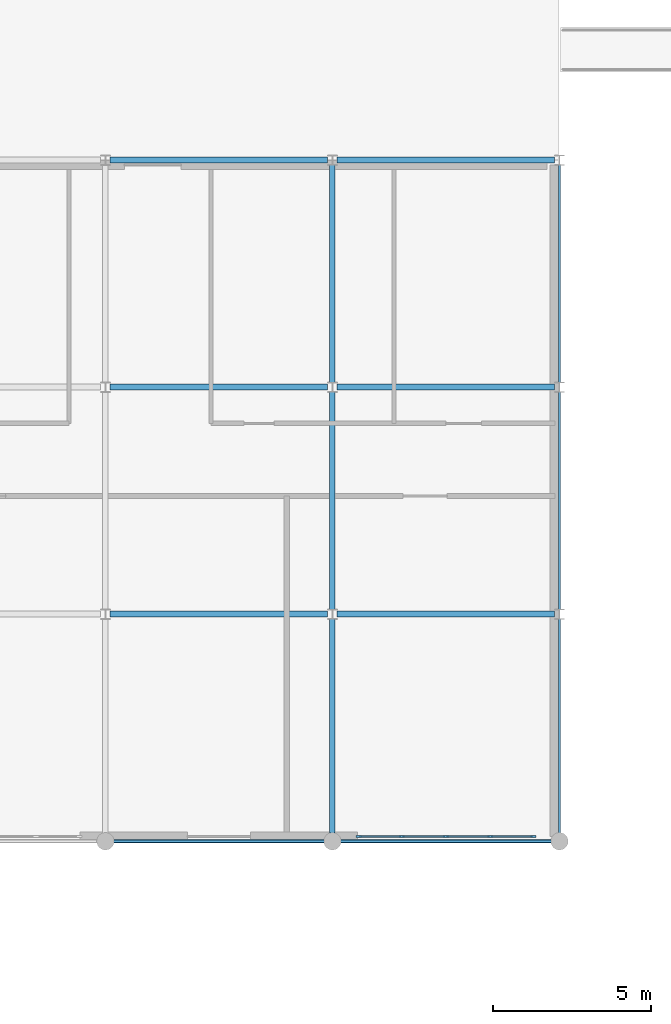
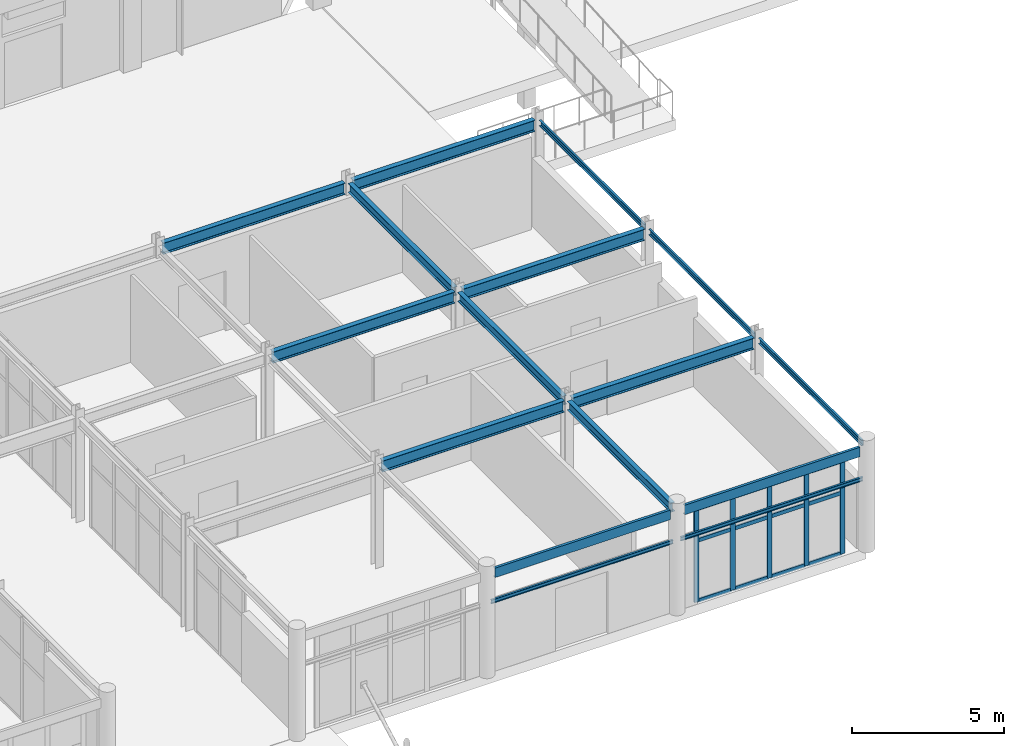
# One storey, part 30 of 85: 17 members, 16 beams, 1 element without a shape of its own.
"""IFC4 building model written with IfcOpenShell, lengths in metres."""

from ifc_helpers import new_model, si_unit, direction, frame, origin, origin_2d, place, context, subcontext, project, spatial, rectangle, i_section, u_section, extrude, material, layer, layer_set, material_profile, profile_set, type_object, element, aggregate, save


model = new_model("IFC4")

# Units and contexts
model_context = context("Model", 3, precision=1e-05, world=origin(), true_north=direction((0.0, 1.0)))
body_context = subcontext(model_context, "Body", "Model", "MODEL_VIEW")
ifc_project = project(units=[si_unit("LENGTHUNIT", "METRE"), si_unit("AREAUNIT", "SQUARE_METRE"), si_unit("VOLUMEUNIT", "CUBIC_METRE"), si_unit("PLANEANGLEUNIT", "RADIAN"), si_unit("MASSUNIT", "GRAM", prefix="KILO")], contexts=[model_context])

# Site, building, storey
site_placement = place(None, origin())
site = spatial("IfcSite", under=ifc_project, at=site_placement, CompositionType="ELEMENT")
building_placement = place(site_placement, origin())
building = spatial("IfcBuilding", under=site, at=building_placement, Name="Ochrevale Crest", CompositionType="ELEMENT")
storey_placement = place(building_placement, origin())
storey = spatial("IfcBuildingStorey", under=building, at=storey_placement, Name="L00", CompositionType="ELEMENT", Elevation=0.0)

# Beams
ifc_material_1 = material(Name="Steel S355", Category="steel")
ifc_material_profile_1 = material_profile(ifc_material_1, u_section(Depth=0.22998046875, FlangeWidth=0.074951171875, WebThickness=0.006591796875, FlangeThickness=0.011962890625, FilletRadius=0.011962890625, at=origin_2d()), Name="230PFC")
ifc_profile_set_1 = profile_set([ifc_material_profile_1], Name="Steel S355")
beam_type_1 = type_object("IfcBeamType", Name="BM-PFC230", PredefinedType="SPANDREL", material=ifc_profile_set_1)
beam_1_placement = place(storey_placement, frame((108.0, 7.469970703125, 4.06005859375), z_axis=(0.0, 1.0, 0.0), x_axis=(-1.0, 0.0, 0.0)))
element("IfcBeam", 1, at=beam_1_placement, inside=storey, type_object=beam_type_1, Name="Retail arcade L00 N-S beam X=108.0", PredefinedType="SPANDREL", context=body_context, shape_type="SweptSolid", body=[
    extrude(u_section(Depth=0.22998046875, FlangeWidth=0.074951171875, WebThickness=0.006591796875, FlangeThickness=0.011962890625, FilletRadius=0.011962890625, at=origin_2d()), origin(), (0.0, 0.0, 1.0), 6.780029296875),
])
for number, where, z_axis, x_axis, name in (
    (2, (108.0, 14.550048828125, 4.06005859375), (0.0, 1.0, 0.0), (-1.0, 0.0, 0.0), "Retail arcade L00 N-S beam X=108.0"),
    (3, (108.0, 21.75, 4.06005859375), (0.0, 1.0, 0.0), (-1.0, 0.0, 0.0), "Retail arcade L00 N-S beam X=108.0"),
):
    element("IfcBeam", number, at=place(storey_placement, frame(where, z_axis=z_axis, x_axis=x_axis)), inside=storey, type_object=beam_type_1, Name=name, PredefinedType="SPANDREL", context=body_context, shape_type="SweptSolid", body=[
        extrude(u_section(Depth=0.22998046875, FlangeWidth=0.074951171875, WebThickness=0.006591796875, FlangeThickness=0.011962890625, FilletRadius=0.011962890625, at=origin_2d()), origin(), (0.0, 0.0, 1.0), 6.89990234375),
    ])
ifc_material_profile_2 = material_profile(ifc_material_1, u_section(Depth=0.3798828125, FlangeWidth=0.10009765625, WebThickness=0.010009765625, FlangeThickness=0.017578125, FilletRadius=0.013916015625, at=origin_2d()), Name="380PFC")
ifc_profile_set_2 = profile_set([ifc_material_profile_2], Name="Steel S355")
beam_type_2 = type_object("IfcBeamType", Name="BM-PFC380", PredefinedType="SPANDREL", material=ifc_profile_set_2)
for number, where, z_axis, x_axis, name in (
    (4, (93.8701171875, 7.199951171875, 3.985107421875), (1.0, 0.0, 0.0), (0.0, 1.0, 0.0), "Retail arcade L00 E-W beam Y=7.2"),
    (5, (101.070068359375, 7.199951171875, 3.985107421875), (1.0, 0.0, 0.0), (0.0, 1.0, 0.0), "Retail arcade L00 E-W beam Y=7.2"),
):
    element("IfcBeam", number, at=place(storey_placement, frame(where, z_axis=z_axis, x_axis=x_axis)), inside=storey, type_object=beam_type_2, Name=name, PredefinedType="SPANDREL", context=body_context, shape_type="SweptSolid", body=[
        extrude(u_section(Depth=0.3798828125, FlangeWidth=0.10009765625, WebThickness=0.010009765625, FlangeThickness=0.017578125, FilletRadius=0.013916015625, at=origin_2d()), origin(), (0.0, 0.0, 1.0), 6.659912109375),
    ])
ifc_material_profile_3 = material_profile(ifc_material_1, i_section(OverallWidth=0.074951171875, OverallDepth=0.155029296875, WebThickness=0.006103515625, FlangeThickness=0.009521484375, FilletRadius=0.008056640625, at=origin_2d()), Name="150UB18.0")
ifc_profile_set_3 = profile_set([ifc_material_profile_3], Name="Steel S355")
beam_type_3 = type_object("IfcBeamType", Name="BM-UB150", PredefinedType="LINTEL", material=ifc_profile_set_3)
beam_2_placement = place(storey_placement, frame((93.75, 7.199951171875, 2.85009765625), z_axis=(1.0, 0.0, 0.0), x_axis=(0.0, 1.0, 0.0)))
element("IfcBeam", 6, at=beam_2_placement, inside=storey, type_object=beam_type_3, Name="Retail shopfront steel lintel L00-4", PredefinedType="LINTEL", context=body_context, shape_type="SweptSolid", body=[
    extrude(i_section(OverallWidth=0.074951171875, OverallDepth=0.155029296875, WebThickness=0.006103515625, FlangeThickness=0.009521484375, FilletRadius=0.008056640625, at=origin_2d()), origin(), (0.0, 0.0, 1.0), 6.89990234375),
])
beam_3_placement = place(storey_placement, frame((100.949951171875, 7.199951171875, 2.85009765625), z_axis=(1.0, 0.0, 0.0), x_axis=(0.0, 1.0, 0.0)))
element("IfcBeam", 7, at=beam_3_placement, inside=storey, type_object=beam_type_3, Name="Retail shopfront steel lintel L00-5", PredefinedType="LINTEL", context=body_context, shape_type="SweptSolid", body=[
    extrude(i_section(OverallWidth=0.074951171875, OverallDepth=0.155029296875, WebThickness=0.006103515625, FlangeThickness=0.009521484375, FilletRadius=0.008056640625, at=origin_2d()), origin(), (0.0, 0.0, 1.0), 6.900146484375),
])
ifc_material_profile_4 = material_profile(ifc_material_1, i_section(OverallWidth=0.172119140625, OverallDepth=0.358642578125, WebThickness=0.008056640625, FlangeThickness=0.012939453125, FilletRadius=0.011474609375, at=origin_2d()), Name="360UB56.7")
ifc_profile_set_4 = profile_set([ifc_material_profile_4], Name="Steel S355")
beam_type_4 = type_object("IfcBeamType", Name="BM-UB360B", PredefinedType="BEAM", material=ifc_profile_set_4)
beam_4_placement = place(storey_placement, frame((100.800048828125, 7.469970703125, 3.99560546875), z_axis=(0.0, 1.0, 0.0), x_axis=(-1.0, 0.0, 0.0)))
element("IfcBeam", 8, at=beam_4_placement, inside=storey, type_object=beam_type_4, Name="Retail arcade L00 N-S beam X=100.8", PredefinedType="BEAM", context=body_context, shape_type="SweptSolid", body=[
    extrude(i_section(OverallWidth=0.172119140625, OverallDepth=0.358642578125, WebThickness=0.008056640625, FlangeThickness=0.012939453125, FilletRadius=0.011474609375, at=origin_2d()), origin(), (0.0, 0.0, 1.0), 6.780029296875),
])
for number, where, z_axis, x_axis, name in (
    (9, (100.800048828125, 14.550048828125, 3.99560546875), (0.0, 1.0, 0.0), (-1.0, 0.0, 0.0), "Retail arcade L00 N-S beam X=100.8"),
    (10, (100.800048828125, 21.75, 3.99560546875), (0.0, 1.0, 0.0), (-1.0, 0.0, 0.0), "Retail arcade L00 N-S beam X=100.8"),
):
    element("IfcBeam", number, at=place(storey_placement, frame(where, z_axis=z_axis, x_axis=x_axis)), inside=storey, type_object=beam_type_4, Name=name, PredefinedType="BEAM", context=body_context, shape_type="SweptSolid", body=[
        extrude(i_section(OverallWidth=0.172119140625, OverallDepth=0.358642578125, WebThickness=0.008056640625, FlangeThickness=0.012939453125, FilletRadius=0.011474609375, at=origin_2d()), origin(), (0.0, 0.0, 1.0), 6.89990234375),
    ])
ifc_material_profile_5 = material_profile(ifc_material_1, i_section(OverallWidth=0.18994140625, OverallDepth=0.453857421875, WebThickness=0.008544921875, FlangeThickness=0.0126953125, FilletRadius=0.011474609375, at=origin_2d()), Name="460UB67.1")
ifc_profile_set_5 = profile_set([ifc_material_profile_5], Name="Steel S355")
beam_type_5 = type_object("IfcBeamType", Name="BM-UB460", PredefinedType="USERDEFINED", material=ifc_profile_set_5)
beam_5_placement = place(storey_placement, frame((93.75, 14.39990234375, 3.947998046875), z_axis=(1.0, 0.0, 0.0), x_axis=(0.0, 1.0, 0.0)))
element("IfcBeam", 11, at=beam_5_placement, inside=storey, type_object=beam_type_5, Name="Retail arcade L00 E-W beam Y=14.4", ObjectType="GIRDER", PredefinedType="USERDEFINED", context=body_context, shape_type="SweptSolid", body=[
    extrude(i_section(OverallWidth=0.18994140625, OverallDepth=0.453857421875, WebThickness=0.008544921875, FlangeThickness=0.0126953125, FilletRadius=0.011474609375, at=origin_2d()), origin(), (0.0, 0.0, 1.0), 6.89990234375),
])
beam_6_placement = place(storey_placement, frame((100.949951171875, 14.39990234375, 3.947998046875), z_axis=(1.0, 0.0, 0.0), x_axis=(0.0, 1.0, 0.0)))
element("IfcBeam", 12, at=beam_6_placement, inside=storey, type_object=beam_type_5, Name="Retail arcade L00 E-W beam Y=14.4", ObjectType="GIRDER", PredefinedType="USERDEFINED", context=body_context, shape_type="SweptSolid", body=[
    extrude(i_section(OverallWidth=0.18994140625, OverallDepth=0.453857421875, WebThickness=0.008544921875, FlangeThickness=0.0126953125, FilletRadius=0.011474609375, at=origin_2d()), origin(), (0.0, 0.0, 1.0), 6.900146484375),
])
beam_7_placement = place(storey_placement, frame((93.75, 21.60009765625, 3.947998046875), z_axis=(1.0, 0.0, 0.0), x_axis=(0.0, 1.0, 0.0)))
element("IfcBeam", 13, at=beam_7_placement, inside=storey, type_object=beam_type_5, Name="Retail arcade L00 E-W beam Y=21.6", ObjectType="GIRDER", PredefinedType="USERDEFINED", context=body_context, shape_type="SweptSolid", body=[
    extrude(i_section(OverallWidth=0.18994140625, OverallDepth=0.453857421875, WebThickness=0.008544921875, FlangeThickness=0.0126953125, FilletRadius=0.011474609375, at=origin_2d()), origin(), (0.0, 0.0, 1.0), 6.89990234375),
])
beam_8_placement = place(storey_placement, frame((100.949951171875, 21.60009765625, 3.947998046875), z_axis=(1.0, 0.0, 0.0), x_axis=(0.0, 1.0, 0.0)))
element("IfcBeam", 14, at=beam_8_placement, inside=storey, type_object=beam_type_5, Name="Retail arcade L00 E-W beam Y=21.6", ObjectType="GIRDER", PredefinedType="USERDEFINED", context=body_context, shape_type="SweptSolid", body=[
    extrude(i_section(OverallWidth=0.18994140625, OverallDepth=0.453857421875, WebThickness=0.008544921875, FlangeThickness=0.0126953125, FilletRadius=0.011474609375, at=origin_2d()), origin(), (0.0, 0.0, 1.0), 6.900146484375),
])
beam_9_placement = place(storey_placement, frame((93.75, 28.800048828125, 3.947998046875), z_axis=(1.0, 0.0, 0.0), x_axis=(0.0, 1.0, 0.0)))
element("IfcBeam", 15, at=beam_9_placement, inside=storey, type_object=beam_type_5, Name="Retail arcade L00 E-W beam Y=28.8", ObjectType="GIRDER", PredefinedType="USERDEFINED", context=body_context, shape_type="SweptSolid", body=[
    extrude(i_section(OverallWidth=0.18994140625, OverallDepth=0.453857421875, WebThickness=0.008544921875, FlangeThickness=0.0126953125, FilletRadius=0.011474609375, at=origin_2d()), origin(), (0.0, 0.0, 1.0), 6.89990234375),
])
beam_10_placement = place(storey_placement, frame((100.949951171875, 28.800048828125, 3.947998046875), z_axis=(1.0, 0.0, 0.0), x_axis=(0.0, 1.0, 0.0)))
element("IfcBeam", 16, at=beam_10_placement, inside=storey, type_object=beam_type_5, Name="Retail arcade L00 E-W beam Y=28.8", ObjectType="GIRDER", PredefinedType="USERDEFINED", context=body_context, shape_type="SweptSolid", body=[
    extrude(i_section(OverallWidth=0.18994140625, OverallDepth=0.453857421875, WebThickness=0.008544921875, FlangeThickness=0.0126953125, FilletRadius=0.011474609375, at=origin_2d()), origin(), (0.0, 0.0, 1.0), 6.900146484375),
])

# Curtain wall, members
ifc_material_2 = material(Name="Anodised aluminium 6063-T5", Category="aluminium")
ifc_layer = layer(ifc_material_2, 0.14990234375)
ifc_layer_set = layer_set([ifc_layer], Name="Anodised aluminium 6063-T5")
curtain_wall_type = type_object("IfcCurtainWallType", Name="CW-SF-620x415", PredefinedType="NOTDEFINED", material=ifc_layer_set)
curtain_wall_placement = place(storey_placement, origin())
curtain_wall = element("IfcCurtainWall", 17, at=curtain_wall_placement, inside=storey, type_object=curtain_wall_type, Name="Boulevard E wing shopfront curtain wall 2", PredefinedType="NOTDEFINED")
ifc_material_profile_6 = material_profile(ifc_material_2, rectangle(XDim=0.06494140625, YDim=0.179931640625, at=origin_2d()), Name="ALU 65x180")
ifc_profile_set_6 = profile_set([ifc_material_profile_6], Name="Anodised aluminium 6063-T5")
member_type_1 = type_object("IfcMemberType", Name="CW-MUL-65x180", PredefinedType="MULLION", material=ifc_profile_set_6)
member_1_placement = place(storey_placement, frame((101.632568359375, 7.35009765625, 0.0), z_axis=(0.0, 0.0, 1.0), x_axis=(0.0, 1.0, 0.0)))
member_1 = element("IfcMember", 18, at=member_1_placement, type_object=member_type_1, Name="CW03 mullion 1", PredefinedType="MULLION", context=body_context, shape_type="SweptSolid", body=[
    extrude(rectangle(XDim=0.06494140625, YDim=0.179931640625, at=origin_2d()), origin(), (0.0, 0.0, 1.0), 3.75),
])
member_2_placement = place(storey_placement, frame((103.0, 7.35009765625, 0.0), z_axis=(0.0, 0.0, 1.0), x_axis=(0.0, 1.0, 0.0)))
member_2 = element("IfcMember", 19, at=member_2_placement, type_object=member_type_1, Name="CW03 mullion 2", PredefinedType="MULLION", context=body_context, shape_type="SweptSolid", body=[
    extrude(rectangle(XDim=0.06494140625, YDim=0.179931640625, at=origin_2d()), origin(), (0.0, 0.0, 1.0), 3.75),
])
member_3_placement = place(storey_placement, frame((104.39990234375, 7.35009765625, 0.0), z_axis=(0.0, 0.0, 1.0), x_axis=(0.0, 1.0, 0.0)))
member_3 = element("IfcMember", 20, at=member_3_placement, type_object=member_type_1, Name="CW03 mullion 3", PredefinedType="MULLION", context=body_context, shape_type="SweptSolid", body=[
    extrude(rectangle(XDim=0.06494140625, YDim=0.179931640625, at=origin_2d()), origin(), (0.0, 0.0, 1.0), 3.75),
])
member_4_placement = place(storey_placement, frame((105.800048828125, 7.35009765625, 0.0), z_axis=(0.0, 0.0, 1.0), x_axis=(0.0, 1.0, 0.0)))
member_4 = element("IfcMember", 21, at=member_4_placement, type_object=member_type_1, Name="CW03 mullion 4", PredefinedType="MULLION", context=body_context, shape_type="SweptSolid", body=[
    extrude(rectangle(XDim=0.06494140625, YDim=0.179931640625, at=origin_2d()), origin(), (0.0, 0.0, 1.0), 3.75),
])
member_5_placement = place(storey_placement, frame((107.16748046875, 7.35009765625, 0.0), z_axis=(0.0, 0.0, 1.0), x_axis=(0.0, 1.0, 0.0)))
member_5 = element("IfcMember", 22, at=member_5_placement, type_object=member_type_1, Name="CW03 mullion 5", PredefinedType="MULLION", context=body_context, shape_type="SweptSolid", body=[
    extrude(rectangle(XDim=0.06494140625, YDim=0.179931640625, at=origin_2d()), origin(), (0.0, 0.0, 1.0), 3.75),
])
ifc_material_profile_7 = material_profile(ifc_material_2, rectangle(XDim=0.06005859375, YDim=0.14990234375, at=origin_2d()), Name="ALU 60x150")
ifc_profile_set_7 = profile_set([ifc_material_profile_7], Name="Anodised aluminium 6063-T5")
member_type_2 = type_object("IfcMemberType", Name="CW-TRN-60x150", PredefinedType="USERDEFINED", material=ifc_profile_set_7)
member_6_placement = place(storey_placement, frame((101.6650390625, 7.35009765625, 0.030029296875), z_axis=(1.0, 0.0, 0.0), x_axis=(0.0, 1.0, 0.0)))
member_6 = element("IfcMember", 23, at=member_6_placement, type_object=member_type_2, Name="CW03 transom 1.1", ObjectType="TRANSOM", PredefinedType="USERDEFINED", context=body_context, shape_type="SweptSolid", body=[
    extrude(rectangle(XDim=0.06005859375, YDim=0.14990234375, at=origin_2d()), origin(), (0.0, 0.0, 1.0), 1.302490234375),
])
member_7_placement = place(storey_placement, frame((101.6650390625, 7.35009765625, 2.449951171875), z_axis=(1.0, 0.0, 0.0), x_axis=(0.0, 1.0, 0.0)))
member_7 = element("IfcMember", 24, at=member_7_placement, type_object=member_type_2, Name="CW03 transom 1.2", ObjectType="TRANSOM", PredefinedType="USERDEFINED", context=body_context, shape_type="SweptSolid", body=[
    extrude(rectangle(XDim=0.06005859375, YDim=0.14990234375, at=origin_2d()), origin(), (0.0, 0.0, 1.0), 1.302490234375),
])
member_8_placement = place(storey_placement, frame((101.6650390625, 7.35009765625, 3.719970703125), z_axis=(1.0, 0.0, 0.0), x_axis=(0.0, 1.0, 0.0)))
member_8 = element("IfcMember", 25, at=member_8_placement, type_object=member_type_2, Name="CW03 transom 1.3", ObjectType="TRANSOM", PredefinedType="USERDEFINED", context=body_context, shape_type="SweptSolid", body=[
    extrude(rectangle(XDim=0.06005859375, YDim=0.14990234375, at=origin_2d()), origin(), (0.0, 0.0, 1.0), 1.302490234375),
])
member_9_placement = place(storey_placement, frame((103.032470703125, 7.35009765625, 0.030029296875), z_axis=(1.0, 0.0, 0.0), x_axis=(0.0, 1.0, 0.0)))
member_9 = element("IfcMember", 26, at=member_9_placement, type_object=member_type_2, Name="CW03 transom 2.1", ObjectType="TRANSOM", PredefinedType="USERDEFINED", context=body_context, shape_type="SweptSolid", body=[
    extrude(rectangle(XDim=0.06005859375, YDim=0.14990234375, at=origin_2d()), origin(), (0.0, 0.0, 1.0), 1.3349609375),
])
member_10_placement = place(storey_placement, frame((103.032470703125, 7.35009765625, 2.449951171875), z_axis=(1.0, 0.0, 0.0), x_axis=(0.0, 1.0, 0.0)))
member_10 = element("IfcMember", 27, at=member_10_placement, type_object=member_type_2, Name="CW03 transom 2.2", ObjectType="TRANSOM", PredefinedType="USERDEFINED", context=body_context, shape_type="SweptSolid", body=[
    extrude(rectangle(XDim=0.06005859375, YDim=0.14990234375, at=origin_2d()), origin(), (0.0, 0.0, 1.0), 1.3349609375),
])
member_11_placement = place(storey_placement, frame((103.032470703125, 7.35009765625, 3.719970703125), z_axis=(1.0, 0.0, 0.0), x_axis=(0.0, 1.0, 0.0)))
member_11 = element("IfcMember", 28, at=member_11_placement, type_object=member_type_2, Name="CW03 transom 2.3", ObjectType="TRANSOM", PredefinedType="USERDEFINED", context=body_context, shape_type="SweptSolid", body=[
    extrude(rectangle(XDim=0.06005859375, YDim=0.14990234375, at=origin_2d()), origin(), (0.0, 0.0, 1.0), 1.3349609375),
])
member_12_placement = place(storey_placement, frame((104.4326171875, 7.35009765625, 0.030029296875), z_axis=(1.0, 0.0, 0.0), x_axis=(0.0, 1.0, 0.0)))
member_12 = element("IfcMember", 29, at=member_12_placement, type_object=member_type_2, Name="CW03 transom 3.1", ObjectType="TRANSOM", PredefinedType="USERDEFINED", context=body_context, shape_type="SweptSolid", body=[
    extrude(rectangle(XDim=0.06005859375, YDim=0.14990234375, at=origin_2d()), origin(), (0.0, 0.0, 1.0), 1.3349609375),
])
member_13_placement = place(storey_placement, frame((104.4326171875, 7.35009765625, 2.449951171875), z_axis=(1.0, 0.0, 0.0), x_axis=(0.0, 1.0, 0.0)))
member_13 = element("IfcMember", 30, at=member_13_placement, type_object=member_type_2, Name="CW03 transom 3.2", ObjectType="TRANSOM", PredefinedType="USERDEFINED", context=body_context, shape_type="SweptSolid", body=[
    extrude(rectangle(XDim=0.06005859375, YDim=0.14990234375, at=origin_2d()), origin(), (0.0, 0.0, 1.0), 1.3349609375),
])
member_14_placement = place(storey_placement, frame((104.4326171875, 7.35009765625, 3.719970703125), z_axis=(1.0, 0.0, 0.0), x_axis=(0.0, 1.0, 0.0)))
member_14 = element("IfcMember", 31, at=member_14_placement, type_object=member_type_2, Name="CW03 transom 3.3", ObjectType="TRANSOM", PredefinedType="USERDEFINED", context=body_context, shape_type="SweptSolid", body=[
    extrude(rectangle(XDim=0.06005859375, YDim=0.14990234375, at=origin_2d()), origin(), (0.0, 0.0, 1.0), 1.3349609375),
])
member_15_placement = place(storey_placement, frame((105.83251953125, 7.35009765625, 0.030029296875), z_axis=(1.0, 0.0, 0.0), x_axis=(0.0, 1.0, 0.0)))
member_15 = element("IfcMember", 32, at=member_15_placement, type_object=member_type_2, Name="CW03 transom 4.1", ObjectType="TRANSOM", PredefinedType="USERDEFINED", context=body_context, shape_type="SweptSolid", body=[
    extrude(rectangle(XDim=0.06005859375, YDim=0.14990234375, at=origin_2d()), origin(), (0.0, 0.0, 1.0), 1.302490234375),
])
member_16_placement = place(storey_placement, frame((105.83251953125, 7.35009765625, 2.449951171875), z_axis=(1.0, 0.0, 0.0), x_axis=(0.0, 1.0, 0.0)))
member_16 = element("IfcMember", 33, at=member_16_placement, type_object=member_type_2, Name="CW03 transom 4.2", ObjectType="TRANSOM", PredefinedType="USERDEFINED", context=body_context, shape_type="SweptSolid", body=[
    extrude(rectangle(XDim=0.06005859375, YDim=0.14990234375, at=origin_2d()), origin(), (0.0, 0.0, 1.0), 1.302490234375),
])
member_17_placement = place(storey_placement, frame((105.83251953125, 7.35009765625, 3.719970703125), z_axis=(1.0, 0.0, 0.0), x_axis=(0.0, 1.0, 0.0)))
member_17 = element("IfcMember", 34, at=member_17_placement, type_object=member_type_2, Name="CW03 transom 4.3", ObjectType="TRANSOM", PredefinedType="USERDEFINED", context=body_context, shape_type="SweptSolid", body=[
    extrude(rectangle(XDim=0.06005859375, YDim=0.14990234375, at=origin_2d()), origin(), (0.0, 0.0, 1.0), 1.302490234375),
])
aggregate(curtain_wall, [member_1, member_2, member_3, member_4, member_5, member_6, member_7, member_8, member_9, member_10, member_11, member_12, member_13, member_14, member_15, member_16, member_17])

save(model, "model.ifc")
